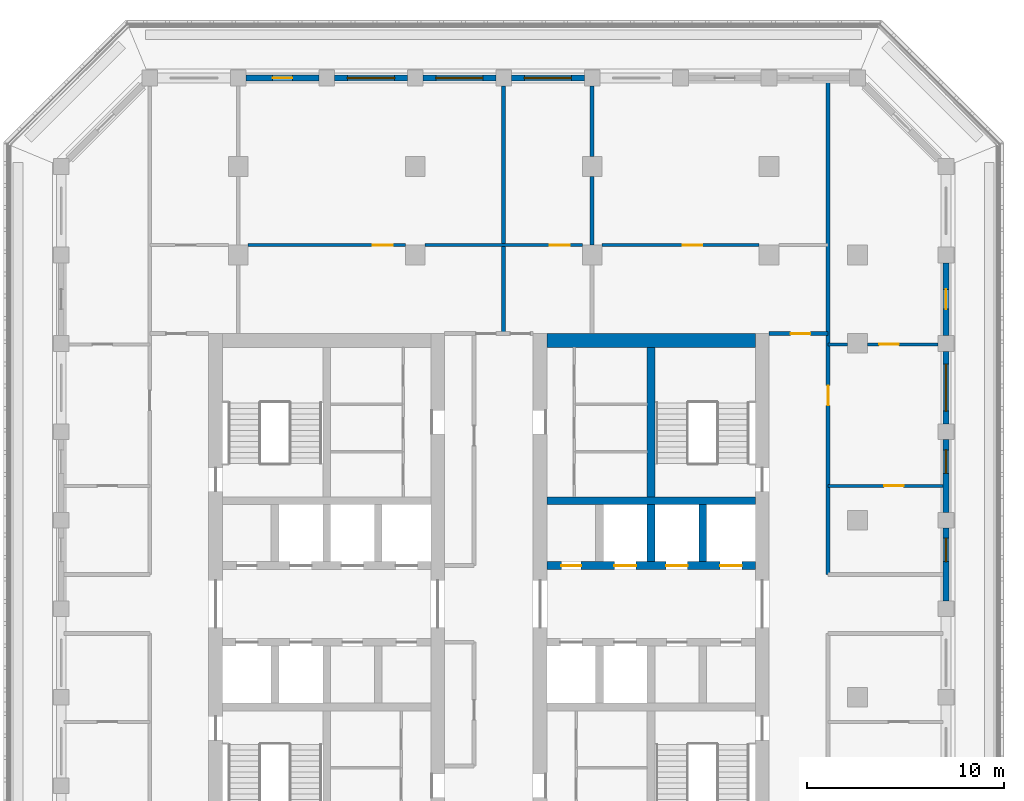
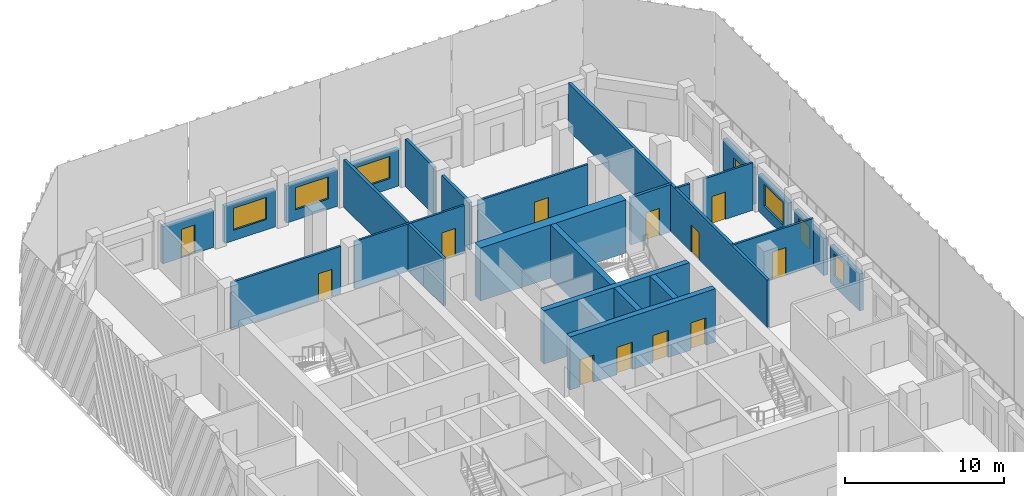
# One storey, part 7 of 17: 25 walls, 13 doors, 6 windows, 19 openings.
"""IFC4 building model written with IfcOpenShell, lengths in metres."""

import ifcopenshell
import ifcopenshell.guid

model = None  # the IFC model being written
_history = None  # IfcOwnerHistory: only IFC2X3 demands one
_inside = {}  # id of a spatial element -> (the spatial element, [elements in it])
_under = {}  # id of a project, library or spatial element -> (it, [spatial elements below it])
_declared = {}  # id of a project -> (the project, [libraries it declares])
_typed = {}  # id of a type object -> (the type object, [elements of that type])
_made_of = {}  # id of a material, layer set ... -> (it, [elements and type objects made of it])


def new_model(schema):
    """Start an empty IFC model of exactly this schema.

    Asked for "IFC4X3", IfcOpenShell would pick the latest addendum, in which some entities
    have other attributes; the version numbers below select the first issue.
    IFC2X3 requires an IfcOwnerHistory on every rooted entity: one is made here for all.
    """
    global model, _history
    if schema == "IFC4X3":
        model = ifcopenshell.file(schema_version=(4, 3, 0, 0))
    else:
        model = ifcopenshell.file(schema=schema)
    _inside.clear()
    _under.clear()
    _declared.clear()
    _typed.clear()
    _made_of.clear()
    _history = None
    if model.schema == "IFC2X3":
        org = make("IfcOrganization", Name="unknown")
        user = make(
            "IfcPersonAndOrganization",
            ThePerson=make("IfcPerson", FamilyName="unknown"),
            TheOrganization=org,
        )
        app = make(
            "IfcApplication",
            ApplicationDeveloper=org,
            Version="unknown",
            ApplicationFullName="unknown",
            ApplicationIdentifier="unknown",
        )
        _history = make(
            "IfcOwnerHistory",
            OwningUser=user,
            OwningApplication=app,
            ChangeAction="ADDED",
            CreationDate=0,
        )
    return model


def make(cls, **values):
    """One entity of the class cls with the attributes given. An attribute that is None is left unset."""
    return model.create_entity(
        cls, **{name: value for name, value in values.items() if value is not None}
    )


def rooted(cls, **values):
    """An entity with a GlobalId (a new one), such as an element, a storey or a relation."""
    return make(cls, GlobalId=ifcopenshell.guid.new(), OwnerHistory=_history, **values)


def si_unit(unit_type, name, prefix=None):
    """IfcSIUnit, for example si_unit("LENGTHUNIT", "METRE", prefix="MILLI")."""
    return make("IfcSIUnit", UnitType=unit_type, Prefix=prefix, Name=name)


def assignment(units):
    """IfcUnitAssignment: the units of a project."""
    return None if units is None else make("IfcUnitAssignment", Units=units)


def point(xyz):
    """IfcCartesianPoint."""
    return None if xyz is None else make("IfcCartesianPoint", Coordinates=xyz)


def direction(xyz):
    """IfcDirection."""
    return None if xyz is None else make("IfcDirection", DirectionRatios=xyz)


def frame(location, z_axis=None, x_axis=None):
    """IfcAxis2Placement3D, a coordinate frame: its origin and axes. An axis left out is left unset."""
    return make(
        "IfcAxis2Placement3D",
        Location=point(location),
        Axis=direction(z_axis),
        RefDirection=direction(x_axis),
    )


def frame_2d(location, x_axis=None):
    """IfcAxis2Placement2D, a coordinate frame in the plane: its origin and x axis."""
    return make(
        "IfcAxis2Placement2D", Location=point(location), RefDirection=direction(x_axis)
    )


def origin():
    """The frame at (0, 0, 0) with its axes left unset."""
    return frame((0.0, 0.0, 0.0))


def place(relative_to, where):
    """IfcLocalPlacement: puts the frame where relative to a parent placement (None: the world)."""
    return make(
        "IfcLocalPlacement", PlacementRelTo=relative_to, RelativePlacement=where
    )


def context(
    kind, dimensions, precision=None, world=None, true_north=None, identifier=None
):
    """IfcGeometricRepresentationContext, for example the 3D "Model" context."""
    return make(
        "IfcGeometricRepresentationContext",
        ContextIdentifier=identifier,
        ContextType=kind,
        CoordinateSpaceDimension=dimensions,
        Precision=precision,
        WorldCoordinateSystem=world,
        TrueNorth=true_north,
    )


def subcontext(parent, identifier, kind, view, scale=None):
    """IfcGeometricRepresentationSubContext, for example "Body" below "Model"."""
    return make(
        "IfcGeometricRepresentationSubContext",
        ContextIdentifier=identifier,
        ContextType=kind,
        ParentContext=parent,
        TargetScale=scale,
        TargetView=view,
    )


def project(units=None, contexts=None):
    """IfcProject with its units and contexts."""
    return rooted(
        "IfcProject",
        Name="project",
        RepresentationContexts=contexts,
        UnitsInContext=assignment(units),
    )


def spatial(cls, under=None, at=None, **own):
    """A site, building, storey or space (cls), placed at a placement, below another one or the project."""
    s = rooted(cls, ObjectPlacement=at, **own)
    if under is not None:
        _under.setdefault(under.id(), (under, []))[1].append(s)
    return s


def profile(cls, at=None, kind="AREA", **sizes):
    """A parametric profile (cls). Its sizes go by their IFC names, for example OverallWidth=200.0."""
    return make(cls, ProfileType=kind, Position=at, **sizes)


def rectangle(**sizes):
    """IfcRectangleProfileDef."""
    return profile("IfcRectangleProfileDef", **sizes)


def extrude(swept, where, along, depth):
    """IfcExtrudedAreaSolid: the profile swept, set in the frame where, extruded along a direction by depth."""
    return make(
        "IfcExtrudedAreaSolid",
        SweptArea=swept,
        Position=where,
        ExtrudedDirection=direction(along),
        Depth=depth,
    )


def shape(context_of_items, identifier, shape_type, items):
    """IfcShapeRepresentation: the items that make up one representation, for example the "Body"."""
    return make(
        "IfcShapeRepresentation",
        ContextOfItems=context_of_items,
        RepresentationIdentifier=identifier,
        RepresentationType=shape_type,
        Items=items,
    )


def material(Name=None, Category=None):
    """IfcMaterial."""
    return make("IfcMaterial", Name=Name, Category=Category)


def layer(
    of_material, thickness, ventilated=None, Name=None, Category=None, Priority=None
):
    """IfcMaterialLayer: one layer of a wall or slab, of a material (None: an air gap)."""
    return make(
        "IfcMaterialLayer",
        Material=of_material,
        LayerThickness=thickness,
        IsVentilated=ventilated,
        Name=Name,
        Category=Category,
        Priority=Priority,
    )


def layer_set(layers, Name=None):
    """IfcMaterialLayerSet."""
    return make("IfcMaterialLayerSet", MaterialLayers=layers, LayerSetName=Name)


def made_of(thing, what):
    """Note that an element or type object is made of a material, layer set ...; save() writes the relation."""
    if what is not None:
        _made_of.setdefault(what.id(), (what, []))[1].append(thing)
    return thing


def type_object(cls, material=None, **own):
    """A type object (cls), such as IfcWallType, which elements share."""
    return made_of(rooted(cls, **own), material)


def element(
    cls,
    number,
    at=None,
    inside=None,
    cuts=None,
    type_object=None,
    material=None,
    context=None,
    identifier="Body",
    shape_type=None,
    held_by="IfcProductDefinitionShape",
    body=None,
    shapes=None,
    **own,
):
    """One element of the class cls, such as IfcWall. Its Tag is "e" and its number.

    at: its placement. inside: the storey or other place that contains it. cuts: it is an
    opening in that element (IfcRelVoidsElement). A single representation is given by context,
    identifier, shape_type and body (its items); several are given by shapes. held_by: the class
    of the entity that holds the representations. save() writes the other relations.
    """
    e = rooted(cls, Tag="e%d" % number, ObjectPlacement=at, **own)
    if body is not None:
        shapes = [shape(context, identifier, shape_type, body)]
    if shapes is not None:
        e.Representation = make(held_by, Representations=shapes)
    if inside is not None:
        _inside.setdefault(inside.id(), (inside, []))[1].append(e)
    if cuts is not None:
        rooted(
            "IfcRelVoidsElement", RelatingBuildingElement=cuts, RelatedOpeningElement=e
        )
    if type_object is not None:
        _typed.setdefault(type_object.id(), (type_object, []))[1].append(e)
    return made_of(e, material)


def fill(opening, filler):
    """IfcRelFillsElement: the door or window that sits in an opening."""
    return rooted(
        "IfcRelFillsElement",
        RelatingOpeningElement=opening,
        RelatedBuildingElement=filler,
    )


def aggregate(whole, parts):
    """IfcRelAggregates: a whole, such as a stair, and the parts it consists of."""
    return rooted("IfcRelAggregates", RelatingObject=whole, RelatedObjects=parts)


def save(model, path):
    """Write the relations noted so far, then the file.

    IfcRelAggregates (storeys below a building ...), IfcRelContainedInSpatialStructure (elements
    in a storey), IfcRelDefinesByType, IfcRelAssociatesMaterial and IfcRelDeclares: one each for
    every whole, place, type object, material and project.
    """
    for whole, parts in _under.values():
        aggregate(whole, parts)
    for where, things in _inside.values():
        rooted(
            "IfcRelContainedInSpatialStructure",
            RelatedElements=things,
            RelatingStructure=where,
        )
    for kind, things in _typed.values():
        rooted("IfcRelDefinesByType", RelatedObjects=things, RelatingType=kind)
    for what, things in _made_of.values():
        rooted("IfcRelAssociatesMaterial", RelatedObjects=things, RelatingMaterial=what)
    for by, libraries in _declared.values():
        rooted("IfcRelDeclares", RelatingContext=by, RelatedDefinitions=libraries)
    model.write(path)


model = new_model("IFC4")

# Units and contexts
model_context = context("Model", 3, precision=1e-05, world=origin(), true_north=direction((0.0, 1.0)))
body_context = subcontext(model_context, "Body", "Model", "MODEL_VIEW")
ifc_project = project(units=[si_unit("LENGTHUNIT", "METRE"), si_unit("AREAUNIT", "SQUARE_METRE"), si_unit("VOLUMEUNIT", "CUBIC_METRE"), si_unit("PLANEANGLEUNIT", "RADIAN"), si_unit("MASSUNIT", "GRAM", prefix="KILO")], contexts=[model_context])

# Site, building, storey
site_placement = place(None, origin())
site = spatial("IfcSite", under=ifc_project, at=site_placement, CompositionType="ELEMENT")
building_placement = place(site_placement, origin())
building = spatial("IfcBuilding", under=site, at=building_placement, Name="Corbel Stack Research Tower", CompositionType="ELEMENT")
storey_placement = place(building_placement, frame((0.0, 0.0, 248.0)))
storey = spatial("IfcBuildingStorey", under=building, at=storey_placement, Name="L56", CompositionType="ELEMENT", Elevation=248.0)

# Wall, openings, doors
ifc_material_1 = material(Name="Concrete C60/75", Category="concrete")
ifc_layer_1 = layer(ifc_material_1, 0.39990234375)
ifc_layer_set_1 = layer_set([ifc_layer_1], Name="Concrete C60/75")
wall_type_1 = type_object("IfcWallType", Name="CW-400-60", PredefinedType="SHEAR", material=ifc_layer_set_1)
wall_1_placement = place(storey_placement, frame((6.699951171875, 6.699951171875, 0.0), z_axis=(0.0, 0.0, 1.0), x_axis=(1.0, 0.0, 0.0)))
wall_1 = element("IfcWall", 1, at=wall_1_placement, inside=storey, type_object=wall_type_1, Name="East core wall, lobby north L56", PredefinedType="SHEAR", context=body_context, shape_type="SweptSolid", body=[
    extrude(rectangle(XDim=10.60009765625, YDim=0.39990234375, at=frame_2d((5.300048828125, 0.0))), origin(), (0.0, 0.0, 1.0), 4.10009765625),
])
opening_1_placement = place(wall_1_placement, frame((3.4375, 0.0, 0.0)))
opening_1 = element("IfcOpeningElement", 2, at=opening_1_placement, cuts=wall_1, Name="Opening LD-HR4", PredefinedType="OPENING", context=body_context, shape_type="SweptSolid", body=[
    extrude(rectangle(XDim=1.10009765625, YDim=2.10009765625, at=frame_2d((0.550048828125, 1.050048828125))), frame((0.0, 0.2099609375, 0.0), z_axis=(0.0, -1.0, 0.0), x_axis=(1.0, 0.0, 0.0)), (0.0, 0.0, 1.0), 0.419921875),
])
opening_2_placement = place(wall_1_placement, frame((6.0625, 0.0, 0.0)))
opening_2 = element("IfcOpeningElement", 3, at=opening_2_placement, cuts=wall_1, Name="Opening LD-HR5", PredefinedType="OPENING", context=body_context, shape_type="SweptSolid", body=[
    extrude(rectangle(XDim=1.10009765625, YDim=2.10009765625, at=frame_2d((0.550048828125, 1.050048828125))), frame((0.0, 0.2099609375, 0.0), z_axis=(0.0, -1.0, 0.0), x_axis=(1.0, 0.0, 0.0)), (0.0, 0.0, 1.0), 0.419921875),
])
opening_3_placement = place(wall_1_placement, frame((8.8125, 0.0, 0.0)))
opening_3 = element("IfcOpeningElement", 4, at=opening_3_placement, cuts=wall_1, Name="Opening LD-HR6", PredefinedType="OPENING", context=body_context, shape_type="SweptSolid", body=[
    extrude(rectangle(XDim=1.10009765625, YDim=2.10009765625, at=frame_2d((0.550048828125, 1.050048828125))), frame((0.0, 0.2099609375, 0.0), z_axis=(0.0, -1.0, 0.0), x_axis=(1.0, 0.0, 0.0)), (0.0, 0.0, 1.0), 0.419921875),
])
opening_4_placement = place(wall_1_placement, frame((0.737548828125, 0.0, 0.0)))
opening_4 = element("IfcOpeningElement", 5, at=opening_4_placement, cuts=wall_1, Name="Opening CR-E12-N1", PredefinedType="OPENING", context=body_context, shape_type="SweptSolid", body=[
    extrude(rectangle(XDim=1.0, YDim=2.10009765625, at=frame_2d((0.5, 1.050048828125))), frame((0.0, 0.2099609375, 0.0), z_axis=(0.0, -1.0, 0.0), x_axis=(1.0, 0.0, 0.0)), (0.0, 0.0, 1.0), 0.419921875),
])
ifc_material_2 = material(Name="Stainless steel landing door", Category="steel")
door_type_1 = type_object("IfcDoorType", Name="Lift landing door 1100 x 2100", OperationType="DOUBLE_DOOR_SLIDING", PredefinedType="DOOR", material=ifc_material_2)
door_1_placement = place(opening_1_placement, origin())
door_1 = element("IfcDoor", 6, at=door_1_placement, inside=storey, type_object=door_type_1, Name="Landing door HR4", OperationType="DOUBLE_DOOR_SLIDING", OverallHeight=2.10009765625, OverallWidth=1.10009765625, PredefinedType="DOOR", context=body_context, shape_type="SweptSolid", body=[
    extrude(rectangle(XDim=1.10009765625, YDim=2.10009765625, at=frame_2d((0.550048828125, 1.050048828125))), frame((0.0, 0.02490234375, 0.0), z_axis=(0.0, -1.0, 0.0), x_axis=(1.0, 0.0, 0.0)), (0.0, 0.0, 1.0), 0.050048828125),
])
fill(opening_1, door_1)
door_2_placement = place(opening_2_placement, origin())
door_2 = element("IfcDoor", 7, at=door_2_placement, inside=storey, type_object=door_type_1, Name="Landing door HR5", OperationType="DOUBLE_DOOR_SLIDING", OverallHeight=2.10009765625, OverallWidth=1.10009765625, PredefinedType="DOOR", context=body_context, shape_type="SweptSolid", body=[
    extrude(rectangle(XDim=1.10009765625, YDim=2.10009765625, at=frame_2d((0.550048828125, 1.050048828125))), frame((0.0, 0.02490234375, 0.0), z_axis=(0.0, -1.0, 0.0), x_axis=(1.0, 0.0, 0.0)), (0.0, 0.0, 1.0), 0.050048828125),
])
fill(opening_2, door_2)
door_3_placement = place(opening_3_placement, origin())
door_3 = element("IfcDoor", 8, at=door_3_placement, inside=storey, type_object=door_type_1, Name="Landing door HR6", OperationType="DOUBLE_DOOR_SLIDING", OverallHeight=2.10009765625, OverallWidth=1.10009765625, PredefinedType="DOOR", context=body_context, shape_type="SweptSolid", body=[
    extrude(rectangle(XDim=1.10009765625, YDim=2.10009765625, at=frame_2d((0.550048828125, 1.050048828125))), frame((0.0, 0.02490234375, 0.0), z_axis=(0.0, -1.0, 0.0), x_axis=(1.0, 0.0, 0.0)), (0.0, 0.0, 1.0), 0.050048828125),
])
fill(opening_3, door_3)
ifc_material_3 = material(Name="Painted steel door", Category="steel")
door_type_2 = type_object("IfcDoorType", Name="Service door 1000 x 2100 FD60 left hand", OperationType="SINGLE_SWING_LEFT", PredefinedType="DOOR", material=ifc_material_3)
door_4_placement = place(opening_4_placement, origin())
door_4 = element("IfcDoor", 9, at=door_4_placement, inside=storey, type_object=door_type_2, Name="Telecom room door E core", OperationType="SINGLE_SWING_LEFT", OverallHeight=2.10009765625, OverallWidth=1.0, PredefinedType="DOOR", context=body_context, shape_type="SweptSolid", body=[
    extrude(rectangle(XDim=1.0, YDim=2.10009765625, at=frame_2d((0.5, 1.050048828125))), frame((0.0, 0.02490234375, 0.0), z_axis=(0.0, -1.0, 0.0), x_axis=(1.0, 0.0, 0.0)), (0.0, 0.0, 1.0), 0.050048828125),
])
fill(opening_4, door_4)

# Walls
wall_2_placement = place(storey_placement, frame((6.699951171875, 10.0, 0.0), z_axis=(0.0, 0.0, 1.0), x_axis=(1.0, 0.0, 0.0)))
element("IfcWall", 10, at=wall_2_placement, inside=storey, type_object=wall_type_1, Name="East core wall, north row back L56", PredefinedType="SHEAR", context=body_context, shape_type="SweptSolid", body=[
    extrude(rectangle(XDim=10.60009765625, YDim=0.39990234375, at=frame_2d((5.300048828125, 0.0))), origin(), (0.0, 0.0, 1.0), 4.10009765625),
])
for number, where, z_axis, x_axis, name in (
    (11, (12.0, 6.89990234375, 0.0), (0.0, 0.0, 1.0), (0.0, 1.0, 0.0), "East core wall, north shaft 2 L56"),
    (12, (14.625, 6.89990234375, 0.0), (0.0, 0.0, 1.0), (0.0, 1.0, 0.0), "East core wall, north shaft 3 L56"),
):
    element("IfcWall", number, at=place(storey_placement, frame(where, z_axis=z_axis, x_axis=x_axis)), inside=storey, type_object=wall_type_1, Name=name, PredefinedType="SHEAR", context=body_context, shape_type="SweptSolid", body=[
        extrude(rectangle(XDim=2.900146484375, YDim=0.39990234375, at=frame_2d((1.4501953125, 0.0))), origin(), (0.0, 0.0, 1.0), 4.10009765625),
    ])
wall_3_placement = place(storey_placement, frame((12.0, 10.199951171875, 0.0), z_axis=(0.0, 0.0, 1.0), x_axis=(0.0, 1.0, 0.0)))
element("IfcWall", 13, at=wall_3_placement, inside=storey, type_object=wall_type_1, Name="East core wall, north stair and riser L56", PredefinedType="SHEAR", context=body_context, shape_type="SweptSolid", body=[
    extrude(rectangle(XDim=7.60009765625, YDim=0.39990234375, at=frame_2d((3.800048828125, 0.0))), origin(), (0.0, 0.0, 1.0), 4.10009765625),
])
ifc_material_4 = material(Name="Concrete C60/75", Category="concrete")
ifc_layer_2 = layer(ifc_material_4, 0.699951171875)
ifc_layer_set_2 = layer_set([ifc_layer_2], Name="Concrete C60/75")
wall_type_2 = type_object("IfcWallType", Name="CW-700-60", PredefinedType="SHEAR", material=ifc_layer_set_2)
wall_4_placement = place(storey_placement, frame((6.699951171875, 18.14990234375, 0.0), z_axis=(0.0, 0.0, 1.0), x_axis=(1.0, 0.0, 0.0)))
element("IfcWall", 14, at=wall_4_placement, inside=storey, type_object=wall_type_2, Name="East core wall, north end L56", PredefinedType="SHEAR", context=body_context, shape_type="SweptSolid", body=[
    extrude(rectangle(XDim=10.60009765625, YDim=0.699951171875, at=frame_2d((5.300048828125, 0.0))), origin(), (0.0, 0.0, 1.0), 4.10009765625),
])
ifc_material_5 = material(Name="Fire-rated gypsum board partition on steel studs", Category="steel")
ifc_layer_3 = layer(ifc_material_5, 0.199951171875)
ifc_layer_set_3 = layer_set([ifc_layer_3], Name="Fire-rated gypsum board partition on steel studs")
wall_type_3 = type_object("IfcWallType", Name="Fire-rated partition 200 EI 60", PredefinedType="PARTITIONING", material=ifc_layer_set_3)
wall_5_placement = place(storey_placement, frame((4.5, 18.5, 0.0), z_axis=(0.0, 0.0, 1.0), x_axis=(0.0, 1.0, 0.0)))
element("IfcWall", 15, at=wall_5_placement, inside=storey, type_object=wall_type_3, Name="Partition L56-012", PredefinedType="PARTITIONING", context=body_context, shape_type="SweptSolid", body=[
    extrude(rectangle(XDim=12.60009765625, YDim=0.199951171875, at=frame_2d((6.300048828125, 0.0))), origin(), (0.0, 0.0, 1.0), 3.64990234375),
])
wall_6_placement = place(storey_placement, frame((9.0, 23.0, 0.0), z_axis=(0.0, 0.0, 1.0), x_axis=(0.0, 1.0, 0.0)))
element("IfcWall", 16, at=wall_6_placement, inside=storey, type_object=wall_type_3, Name="Partition L56-016", PredefinedType="PARTITIONING", context=body_context, shape_type="SweptSolid", body=[
    extrude(rectangle(XDim=3.5, YDim=0.199951171875, at=frame_2d((1.75, 0.0))), origin(), (0.0, 0.0, 1.0), 3.64990234375),
])
wall_7_placement = place(storey_placement, frame((9.0, 27.5, 0.0), z_axis=(0.0, 0.0, 1.0), x_axis=(0.0, 1.0, 0.0)))
element("IfcWall", 17, at=wall_7_placement, inside=storey, type_object=wall_type_3, Name="Partition L56-017", PredefinedType="PARTITIONING", context=body_context, shape_type="SweptSolid", body=[
    extrude(rectangle(XDim=3.60009765625, YDim=0.199951171875, at=frame_2d((1.800048828125, 0.0))), origin(), (0.0, 0.0, 1.0), 3.64990234375),
])

# Wall, opening, door
wall_8_placement = place(storey_placement, frame((21.0, 31.35009765625, 0.0), z_axis=(0.0, 0.0, 1.0), x_axis=(0.0, -1.0, 0.0)))
wall_8 = element("IfcWall", 18, at=wall_8_placement, inside=storey, type_object=wall_type_3, Name="Partition L56-019", PredefinedType="PARTITIONING", context=body_context, shape_type="SweptSolid", body=[
    extrude(rectangle(XDim=25.10009765625, YDim=0.199951171875, at=frame_2d((12.550048828125, 0.0))), origin(), (0.0, 0.0, 1.0), 3.64990234375),
])
opening_5_placement = place(wall_8_placement, frame((15.5, 0.0, 0.0)))
opening_5 = element("IfcOpeningElement", 19, at=opening_5_placement, cuts=wall_8, Name="Opening B7V1-027", PredefinedType="OPENING", context=body_context, shape_type="SweptSolid", body=[
    extrude(rectangle(XDim=1.0, YDim=2.10009765625, at=frame_2d((0.5, 1.050048828125))), frame((0.0, 0.10986328125, 0.0), z_axis=(0.0, -1.0, 0.0), x_axis=(1.0, 0.0, 0.0)), (0.0, 0.0, 1.0), 0.219970703125),
])
ifc_material_6 = material(Name="Painted steel fire door", Category="steel")
door_type_3 = type_object("IfcDoorType", Name="Fire door FD30S 1000 x 2100", OperationType="NOTDEFINED", PredefinedType="DOOR", material=ifc_material_6)
door_5_placement = place(opening_5_placement, origin())
door_5 = element("IfcDoor", 20, at=door_5_placement, inside=storey, type_object=door_type_3, Name="Door B7V1-027", OperationType="SINGLE_SWING_RIGHT", OverallHeight=2.10009765625, OverallWidth=1.0, PredefinedType="DOOR", context=body_context, shape_type="SweptSolid", body=[
    extrude(rectangle(XDim=1.0, YDim=2.10009765625, at=frame_2d((0.5, 1.050048828125))), frame((0.0, 0.02490234375, 0.0), z_axis=(0.0, -1.0, 0.0), x_axis=(1.0, 0.0, 0.0)), (0.0, 0.0, 1.0), 0.050048828125),
])
fill(opening_5, door_5)

wall_9_placement = place(storey_placement, frame((18.0, 18.5, 0.0), z_axis=(0.0, 0.0, 1.0), x_axis=(1.0, 0.0, 0.0)))
wall_9 = element("IfcWall", 21, at=wall_9_placement, inside=storey, type_object=wall_type_3, Name="Partition L56-044", PredefinedType="PARTITIONING", context=body_context, shape_type="SweptSolid", body=[
    extrude(rectangle(XDim=3.0, YDim=0.199951171875, at=frame_2d((1.5, 0.0))), origin(), (0.0, 0.0, 1.0), 3.64990234375),
])
opening_6_placement = place(wall_9_placement, frame((1.10009765625, 0.0, 0.0)))
opening_6 = element("IfcOpeningElement", 22, at=opening_6_placement, cuts=wall_9, Name="Opening B7V1-025", PredefinedType="OPENING", context=body_context, shape_type="SweptSolid", body=[
    extrude(rectangle(XDim=1.0, YDim=2.10009765625, at=frame_2d((0.5, 1.050048828125))), frame((0.0, 0.10986328125, 0.0), z_axis=(0.0, -1.0, 0.0), x_axis=(1.0, 0.0, 0.0)), (0.0, 0.0, 1.0), 0.219970703125),
])
door_6_placement = place(opening_6_placement, origin())
door_6 = element("IfcDoor", 23, at=door_6_placement, inside=storey, type_object=door_type_3, Name="Door B7V1-025", OperationType="SINGLE_SWING_RIGHT", OverallHeight=2.10009765625, OverallWidth=1.0, PredefinedType="DOOR", context=body_context, shape_type="SweptSolid", body=[
    extrude(rectangle(XDim=1.0, YDim=2.10009765625, at=frame_2d((0.5, 1.050048828125))), frame((0.0, 0.02490234375, 0.0), z_axis=(0.0, -1.0, 0.0), x_axis=(1.0, 0.0, 0.0)), (0.0, 0.0, 1.0), 0.050048828125),
])
fill(opening_6, door_6)

ifc_material_7 = material(Name="Gypsum board partition on steel studs", Category="steel")
ifc_layer_4 = layer(ifc_material_7, 0.14990234375)
ifc_layer_set_4 = layer_set([ifc_layer_4], Name="Gypsum board partition on steel studs")
wall_type_4 = type_object("IfcWallType", Name="Partition 150", PredefinedType="PARTITIONING", material=ifc_layer_set_4)
wall_10_placement = place(storey_placement, frame((26.85009765625, 10.75, 0.0), z_axis=(0.0, 0.0, 1.0), x_axis=(-1.0, 0.0, 0.0)))
wall_10 = element("IfcWall", 24, at=wall_10_placement, inside=storey, type_object=wall_type_4, Name="Partition L56-038", PredefinedType="PARTITIONING", context=body_context, shape_type="SweptSolid", body=[
    extrude(rectangle(XDim=5.85009765625, YDim=0.14990234375, at=frame_2d((2.925048828125, 0.0))), origin(), (0.0, 0.0, 1.0), 3.64990234375),
])
opening_7_placement = place(wall_10_placement, frame((2.0, 0.0, 0.0)))
opening_7 = element("IfcOpeningElement", 25, at=opening_7_placement, cuts=wall_10, Name="Opening B7V1-019", PredefinedType="OPENING", context=body_context, shape_type="SweptSolid", body=[
    extrude(rectangle(XDim=1.0, YDim=2.10009765625, at=frame_2d((0.5, 1.050048828125))), frame((0.0, 0.0849609375, 0.0), z_axis=(0.0, -1.0, 0.0), x_axis=(1.0, 0.0, 0.0)), (0.0, 0.0, 1.0), 0.169921875),
])
ifc_material_8 = material(Name="Painted timber door", Category="wood")
door_type_4 = type_object("IfcDoorType", Name="Single door 1000 x 2100", OperationType="NOTDEFINED", PredefinedType="DOOR", material=ifc_material_8)
door_7_placement = place(opening_7_placement, origin())
door_7 = element("IfcDoor", 26, at=door_7_placement, inside=storey, type_object=door_type_4, Name="Door B7V1-019", OperationType="SINGLE_SWING_LEFT", OverallHeight=2.10009765625, OverallWidth=1.0, PredefinedType="DOOR", context=body_context, shape_type="SweptSolid", body=[
    extrude(rectangle(XDim=1.0, YDim=2.10009765625, at=frame_2d((0.5, 1.050048828125))), frame((0.0, 0.02490234375, 0.0), z_axis=(0.0, -1.0, 0.0), x_axis=(1.0, 0.0, 0.0)), (0.0, 0.0, 1.0), 0.050048828125),
])
fill(opening_7, door_7)

# Wall
wall_11_placement = place(storey_placement, frame((21.0, 17.949951171875, 0.0), z_axis=(0.0, 0.0, 1.0), x_axis=(1.0, 0.0, 0.0)))
element("IfcWall", 27, at=wall_11_placement, inside=storey, type_object=wall_type_4, Name="Partition L56-040", PredefinedType="PARTITIONING", context=body_context, shape_type="SweptSolid", body=[
    extrude(rectangle(XDim=1.0, YDim=0.14990234375, at=frame_2d((0.5, 0.0))), origin(), (0.0, 0.0, 1.0), 3.64990234375),
])

# Wall, opening, door
wall_12_placement = place(storey_placement, frame((23.0, 17.949951171875, 0.0), z_axis=(0.0, 0.0, 1.0), x_axis=(1.0, 0.0, 0.0)))
wall_12 = element("IfcWall", 28, at=wall_12_placement, inside=storey, type_object=wall_type_4, Name="Partition L56-041", PredefinedType="PARTITIONING", context=body_context, shape_type="SweptSolid", body=[
    extrude(rectangle(XDim=3.60009765625, YDim=0.14990234375, at=frame_2d((1.800048828125, 0.0))), origin(), (0.0, 0.0, 1.0), 3.64990234375),
])
opening_8_placement = place(wall_12_placement, frame((0.60009765625, 0.0, 0.0)))
opening_8 = element("IfcOpeningElement", 29, at=opening_8_placement, cuts=wall_12, Name="Opening B7V1-021", PredefinedType="OPENING", context=body_context, shape_type="SweptSolid", body=[
    extrude(rectangle(XDim=1.0, YDim=2.10009765625, at=frame_2d((0.5, 1.050048828125))), frame((0.0, 0.0849609375, 0.0), z_axis=(0.0, -1.0, 0.0), x_axis=(1.0, 0.0, 0.0)), (0.0, 0.0, 1.0), 0.169921875),
])
door_8_placement = place(opening_8_placement, origin())
door_8 = element("IfcDoor", 30, at=door_8_placement, inside=storey, type_object=door_type_4, Name="Door B7V1-021", OperationType="SINGLE_SWING_LEFT", OverallHeight=2.10009765625, OverallWidth=1.0, PredefinedType="DOOR", context=body_context, shape_type="SweptSolid", body=[
    extrude(rectangle(XDim=1.0, YDim=2.10009765625, at=frame_2d((0.5, 1.050048828125))), frame((0.0, 0.02490234375, 0.0), z_axis=(0.0, -1.0, 0.0), x_axis=(1.0, 0.0, 0.0)), (0.0, 0.0, 1.0), 0.050048828125),
])
fill(opening_8, door_8)

wall_13_placement = place(storey_placement, frame((-8.5, 23.0, 0.0), z_axis=(0.0, 0.0, 1.0), x_axis=(1.0, 0.0, 0.0)))
wall_13 = element("IfcWall", 31, at=wall_13_placement, inside=storey, type_object=wall_type_4, Name="Partition L56-046", PredefinedType="PARTITIONING", context=body_context, shape_type="SweptSolid", body=[
    extrude(rectangle(XDim=8.0, YDim=0.14990234375, at=frame_2d((4.0, 0.0))), origin(), (0.0, 0.0, 1.0), 3.64990234375),
])
opening_9_placement = place(wall_13_placement, frame((6.35009765625, 0.0, 0.0)))
opening_9 = element("IfcOpeningElement", 32, at=opening_9_placement, cuts=wall_13, Name="Opening B7V1-029", PredefinedType="OPENING", context=body_context, shape_type="SweptSolid", body=[
    extrude(rectangle(XDim=1.0, YDim=2.10009765625, at=frame_2d((0.5, 1.050048828125))), frame((0.0, 0.0849609375, 0.0), z_axis=(0.0, -1.0, 0.0), x_axis=(1.0, 0.0, 0.0)), (0.0, 0.0, 1.0), 0.169921875),
])
door_9_placement = place(opening_9_placement, origin())
door_9 = element("IfcDoor", 33, at=door_9_placement, inside=storey, type_object=door_type_4, Name="Door B7V1-029", OperationType="SINGLE_SWING_RIGHT", OverallHeight=2.10009765625, OverallWidth=1.0, PredefinedType="DOOR", context=body_context, shape_type="SweptSolid", body=[
    extrude(rectangle(XDim=1.0, YDim=2.10009765625, at=frame_2d((0.5, 1.050048828125))), frame((0.0, 0.02490234375, 0.0), z_axis=(0.0, -1.0, 0.0), x_axis=(1.0, 0.0, 0.0)), (0.0, 0.0, 1.0), 0.050048828125),
])
fill(opening_9, door_9)

wall_14_placement = place(storey_placement, frame((0.5, 23.0, 0.0), z_axis=(0.0, 0.0, 1.0), x_axis=(1.0, 0.0, 0.0)))
wall_14 = element("IfcWall", 34, at=wall_14_placement, inside=storey, type_object=wall_type_4, Name="Partition L56-047", PredefinedType="PARTITIONING", context=body_context, shape_type="SweptSolid", body=[
    extrude(rectangle(XDim=8.0, YDim=0.14990234375, at=frame_2d((4.0, 0.0))), origin(), (0.0, 0.0, 1.0), 3.64990234375),
])
opening_10_placement = place(wall_14_placement, frame((6.35009765625, 0.0, 0.0)))
opening_10 = element("IfcOpeningElement", 35, at=opening_10_placement, cuts=wall_14, Name="Opening B7V1-030", PredefinedType="OPENING", context=body_context, shape_type="SweptSolid", body=[
    extrude(rectangle(XDim=1.0, YDim=2.10009765625, at=frame_2d((0.5, 1.050048828125))), frame((0.0, 0.0849609375, 0.0), z_axis=(0.0, -1.0, 0.0), x_axis=(1.0, 0.0, 0.0)), (0.0, 0.0, 1.0), 0.169921875),
])
door_10_placement = place(opening_10_placement, origin())
door_10 = element("IfcDoor", 36, at=door_10_placement, inside=storey, type_object=door_type_4, Name="Door B7V1-030", OperationType="SINGLE_SWING_RIGHT", OverallHeight=2.10009765625, OverallWidth=1.0, PredefinedType="DOOR", context=body_context, shape_type="SweptSolid", body=[
    extrude(rectangle(XDim=1.0, YDim=2.10009765625, at=frame_2d((0.5, 1.050048828125))), frame((0.0, 0.02490234375, 0.0), z_axis=(0.0, -1.0, 0.0), x_axis=(1.0, 0.0, 0.0)), (0.0, 0.0, 1.0), 0.050048828125),
])
fill(opening_10, door_10)

wall_15_placement = place(storey_placement, frame((9.5, 23.0, 0.0), z_axis=(0.0, 0.0, 1.0), x_axis=(1.0, 0.0, 0.0)))
wall_15 = element("IfcWall", 37, at=wall_15_placement, inside=storey, type_object=wall_type_4, Name="Partition L56-048", PredefinedType="PARTITIONING", context=body_context, shape_type="SweptSolid", body=[
    extrude(rectangle(XDim=8.0, YDim=0.14990234375, at=frame_2d((4.0, 0.0))), origin(), (0.0, 0.0, 1.0), 3.64990234375),
])
opening_11_placement = place(wall_15_placement, frame((4.10009765625, 0.0, 0.0)))
opening_11 = element("IfcOpeningElement", 38, at=opening_11_placement, cuts=wall_15, Name="Opening B7V1-031", PredefinedType="OPENING", context=body_context, shape_type="SweptSolid", body=[
    extrude(rectangle(XDim=1.0, YDim=2.10009765625, at=frame_2d((0.5, 1.050048828125))), frame((0.0, 0.0849609375, 0.0), z_axis=(0.0, -1.0, 0.0), x_axis=(1.0, 0.0, 0.0)), (0.0, 0.0, 1.0), 0.169921875),
])
door_11_placement = place(opening_11_placement, origin())
door_11 = element("IfcDoor", 39, at=door_11_placement, inside=storey, type_object=door_type_4, Name="Door B7V1-031", OperationType="SINGLE_SWING_RIGHT", OverallHeight=2.10009765625, OverallWidth=1.0, PredefinedType="DOOR", context=body_context, shape_type="SweptSolid", body=[
    extrude(rectangle(XDim=1.0, YDim=2.10009765625, at=frame_2d((0.5, 1.050048828125))), frame((0.0, 0.02490234375, 0.0), z_axis=(0.0, -1.0, 0.0), x_axis=(1.0, 0.0, 0.0)), (0.0, 0.0, 1.0), 0.050048828125),
])
fill(opening_11, door_11)

# Wall, opening, window
ifc_material_9 = material(Name="Concrete C45/55", Category="concrete")
ifc_layer_5 = layer(ifc_material_9, 0.300048828125)
ifc_layer_set_5 = layer_set([ifc_layer_5], Name="Concrete C45/55")
wall_type_5 = type_object("IfcWallType", Name="Terracotta-faced concrete wall 300", PredefinedType="SOLIDWALL", material=ifc_layer_set_5)
wall_16_placement = place(storey_placement, frame((27.0, 8.60009765625, 0.0), z_axis=(0.0, 0.0, 1.0), x_axis=(0.0, -1.0, 0.0)))
wall_16 = element("IfcWall", 40, at=wall_16_placement, inside=storey, type_object=wall_type_5, Name="Facade wall L56 E06", PredefinedType="SOLIDWALL", context=body_context, shape_type="SweptSolid", body=[
    extrude(rectangle(XDim=3.7001953125, YDim=0.300048828125, at=frame_2d((1.85009765625, 0.0))), origin(), (0.0, 0.0, 1.0), 2.85009765625),
])
opening_12_placement = place(wall_16_placement, frame((0.5, 0.0, 0.800048828125)))
opening_12 = element("IfcOpeningElement", 41, at=opening_12_placement, cuts=wall_16, Name="Opening W2", PredefinedType="OPENING", context=body_context, shape_type="SweptSolid", body=[
    extrude(rectangle(XDim=1.199951171875, YDim=1.699951171875, at=frame_2d((0.60009765625, 0.85009765625))), frame((0.0, 0.159912109375, 0.0), z_axis=(0.0, -1.0, 0.0), x_axis=(1.0, 0.0, 0.0)), (0.0, 0.0, 1.0), 0.320068359375),
])
ifc_material_10 = material(Name="Aluminium frame, clear double glazing", Category="aluminium")
window_type_1 = type_object("IfcWindowType", Name="Window W2 1200 x 1700", PartitioningType="SINGLE_PANEL", PredefinedType="WINDOW", material=ifc_material_10)
window_1_placement = place(opening_12_placement, origin())
window_1 = element("IfcWindow", 42, at=window_1_placement, inside=storey, type_object=window_type_1, Name="Window W2 L56 E06", OverallHeight=1.699951171875, OverallWidth=1.199951171875, PartitioningType="SINGLE_PANEL", PredefinedType="WINDOW", context=body_context, shape_type="SweptSolid", body=[
    extrude(rectangle(XDim=1.199951171875, YDim=1.699951171875, at=frame_2d((0.60009765625, 0.85009765625))), frame((0.0, 0.030029296875, 0.0), z_axis=(0.0, -1.0, 0.0), x_axis=(1.0, 0.0, 0.0)), (0.0, 0.0, 1.0), 0.06005859375),
])
fill(opening_12, window_1)

wall_17_placement = place(storey_placement, frame((27.0, 13.10009765625, 0.0), z_axis=(0.0, 0.0, 1.0), x_axis=(0.0, -1.0, 0.0)))
wall_17 = element("IfcWall", 43, at=wall_17_placement, inside=storey, type_object=wall_type_5, Name="Facade wall L56 E07", PredefinedType="SOLIDWALL", context=body_context, shape_type="SweptSolid", body=[
    extrude(rectangle(XDim=3.7001953125, YDim=0.300048828125, at=frame_2d((1.85009765625, 0.0))), origin(), (0.0, 0.0, 1.0), 2.85009765625),
])
opening_13_placement = place(wall_17_placement, frame((0.512451171875, 0.0, 0.800048828125)))
opening_13 = element("IfcOpeningElement", 44, at=opening_13_placement, cuts=wall_17, Name="Opening W2", PredefinedType="OPENING", context=body_context, shape_type="SweptSolid", body=[
    extrude(rectangle(XDim=1.199951171875, YDim=1.699951171875, at=frame_2d((0.60009765625, 0.85009765625))), frame((0.0, 0.159912109375, 0.0), z_axis=(0.0, -1.0, 0.0), x_axis=(1.0, 0.0, 0.0)), (0.0, 0.0, 1.0), 0.320068359375),
])
window_2_placement = place(opening_13_placement, origin())
window_2 = element("IfcWindow", 45, at=window_2_placement, inside=storey, type_object=window_type_1, Name="Window W2 L56 E07", OverallHeight=1.699951171875, OverallWidth=1.199951171875, PartitioningType="SINGLE_PANEL", PredefinedType="WINDOW", context=body_context, shape_type="SweptSolid", body=[
    extrude(rectangle(XDim=1.199951171875, YDim=1.699951171875, at=frame_2d((0.60009765625, 0.85009765625))), frame((0.0, 0.030029296875, 0.0), z_axis=(0.0, -1.0, 0.0), x_axis=(1.0, 0.0, 0.0)), (0.0, 0.0, 1.0), 0.06005859375),
])
fill(opening_13, window_2)

wall_18_placement = place(storey_placement, frame((27.0, 17.60009765625, 0.0), z_axis=(0.0, 0.0, 1.0), x_axis=(0.0, -1.0, 0.0)))
wall_18 = element("IfcWall", 46, at=wall_18_placement, inside=storey, type_object=wall_type_5, Name="Facade wall L56 E08", PredefinedType="SOLIDWALL", context=body_context, shape_type="SweptSolid", body=[
    extrude(rectangle(XDim=3.7001953125, YDim=0.300048828125, at=frame_2d((1.85009765625, 0.0))), origin(), (0.0, 0.0, 1.0), 2.85009765625),
])
opening_14_placement = place(wall_18_placement, frame((0.64990234375, 0.0, 0.800048828125)))
opening_14 = element("IfcOpeningElement", 47, at=opening_14_placement, cuts=wall_18, Name="Opening W1", PredefinedType="OPENING", context=body_context, shape_type="SweptSolid", body=[
    extrude(rectangle(XDim=2.39990234375, YDim=1.699951171875, at=frame_2d((1.199951171875, 0.85009765625))), frame((0.0, 0.159912109375, 0.0), z_axis=(0.0, -1.0, 0.0), x_axis=(1.0, 0.0, 0.0)), (0.0, 0.0, 1.0), 0.320068359375),
])
ifc_material_11 = material(Name="Aluminium frame, clear double glazing", Category="aluminium")
window_type_2 = type_object("IfcWindowType", Name="Window W1 2400 x 1700", PartitioningType="SINGLE_PANEL", PredefinedType="WINDOW", material=ifc_material_11)
window_3_placement = place(opening_14_placement, origin())
window_3 = element("IfcWindow", 48, at=window_3_placement, inside=storey, type_object=window_type_2, Name="Window W1 L56 E08", OverallHeight=1.699951171875, OverallWidth=2.39990234375, PartitioningType="SINGLE_PANEL", PredefinedType="WINDOW", context=body_context, shape_type="SweptSolid", body=[
    extrude(rectangle(XDim=2.39990234375, YDim=1.699951171875, at=frame_2d((1.199951171875, 0.85009765625))), frame((0.0, 0.030029296875, 0.0), z_axis=(0.0, -1.0, 0.0), x_axis=(1.0, 0.0, 0.0)), (0.0, 0.0, 1.0), 0.06005859375),
])
fill(opening_14, window_3)

# Wall, opening, door
wall_19_placement = place(storey_placement, frame((27.0, 22.10009765625, 0.0), z_axis=(0.0, 0.0, 1.0), x_axis=(0.0, -1.0, 0.0)))
wall_19 = element("IfcWall", 49, at=wall_19_placement, inside=storey, type_object=wall_type_5, Name="Facade wall L56 E09", PredefinedType="SOLIDWALL", context=body_context, shape_type="SweptSolid", body=[
    extrude(rectangle(XDim=3.7001953125, YDim=0.300048828125, at=frame_2d((1.85009765625, 0.0))), origin(), (0.0, 0.0, 1.0), 2.85009765625),
])
opening_15_placement = place(wall_19_placement, frame((1.35009765625, 0.0, 0.0)))
opening_15 = element("IfcOpeningElement", 50, at=opening_15_placement, cuts=wall_19, Name="Opening L56-B05", PredefinedType="OPENING", context=body_context, shape_type="SweptSolid", body=[
    extrude(rectangle(XDim=1.0, YDim=2.199951171875, at=frame_2d((0.5, 1.10009765625))), frame((0.0, 0.159912109375, 0.0), z_axis=(0.0, -1.0, 0.0), x_axis=(1.0, 0.0, 0.0)), (0.0, 0.0, 1.0), 0.320068359375),
])
ifc_material_12 = material(Name="Aluminium frame, clear double glazing", Category="aluminium")
door_type_5 = type_object("IfcDoorType", Name="Balcony door BD1 1000 x 2200", OperationType="NOTDEFINED", PredefinedType="DOOR", material=ifc_material_12)
door_12_placement = place(opening_15_placement, origin())
door_12 = element("IfcDoor", 51, at=door_12_placement, inside=storey, type_object=door_type_5, Name="Balcony door L56-B05", OperationType="SINGLE_SWING_LEFT", OverallHeight=2.199951171875, OverallWidth=1.0, PredefinedType="DOOR", context=body_context, shape_type="SweptSolid", body=[
    extrude(rectangle(XDim=1.0, YDim=2.199951171875, at=frame_2d((0.5, 1.10009765625))), frame((0.0, 0.02490234375, 0.0), z_axis=(0.0, -1.0, 0.0), x_axis=(1.0, 0.0, 0.0)), (0.0, 0.0, 1.0), 0.050048828125),
])
fill(opening_15, door_12)

# Wall, opening, window
wall_20_placement = place(storey_placement, frame((4.89990234375, 31.5, 0.0), z_axis=(0.0, 0.0, 1.0), x_axis=(1.0, 0.0, 0.0)))
wall_20 = element("IfcWall", 52, at=wall_20_placement, inside=storey, type_object=wall_type_5, Name="Facade wall L56 N04", PredefinedType="SOLIDWALL", context=body_context, shape_type="SweptSolid", body=[
    extrude(rectangle(XDim=3.7001953125, YDim=0.300048828125, at=frame_2d((1.85009765625, 0.0))), origin(), (0.0, 0.0, 1.0), 2.85009765625),
])
opening_16_placement = place(wall_20_placement, frame((0.64990234375, 0.0, 0.800048828125)))
opening_16 = element("IfcOpeningElement", 53, at=opening_16_placement, cuts=wall_20, Name="Opening W1", PredefinedType="OPENING", context=body_context, shape_type="SweptSolid", body=[
    extrude(rectangle(XDim=2.39990234375, YDim=1.699951171875, at=frame_2d((1.199951171875, 0.85009765625))), frame((0.0, 0.159912109375, 0.0), z_axis=(0.0, -1.0, 0.0), x_axis=(1.0, 0.0, 0.0)), (0.0, 0.0, 1.0), 0.320068359375),
])
window_4_placement = place(opening_16_placement, origin())
window_4 = element("IfcWindow", 54, at=window_4_placement, inside=storey, type_object=window_type_2, Name="Window W1 L56 N04", OverallHeight=1.699951171875, OverallWidth=2.39990234375, PartitioningType="SINGLE_PANEL", PredefinedType="WINDOW", context=body_context, shape_type="SweptSolid", body=[
    extrude(rectangle(XDim=2.39990234375, YDim=1.699951171875, at=frame_2d((1.199951171875, 0.85009765625))), frame((0.0, 0.030029296875, 0.0), z_axis=(0.0, -1.0, 0.0), x_axis=(1.0, 0.0, 0.0)), (0.0, 0.0, 1.0), 0.06005859375),
])
fill(opening_16, window_4)

wall_21_placement = place(storey_placement, frame((0.39990234375, 31.5, 0.0), z_axis=(0.0, 0.0, 1.0), x_axis=(1.0, 0.0, 0.0)))
wall_21 = element("IfcWall", 55, at=wall_21_placement, inside=storey, type_object=wall_type_5, Name="Facade wall L56 N05", PredefinedType="SOLIDWALL", context=body_context, shape_type="SweptSolid", body=[
    extrude(rectangle(XDim=3.7001953125, YDim=0.300048828125, at=frame_2d((1.85009765625, 0.0))), origin(), (0.0, 0.0, 1.0), 2.85009765625),
])
opening_17_placement = place(wall_21_placement, frame((0.64990234375, 0.0, 0.800048828125)))
opening_17 = element("IfcOpeningElement", 56, at=opening_17_placement, cuts=wall_21, Name="Opening W1", PredefinedType="OPENING", context=body_context, shape_type="SweptSolid", body=[
    extrude(rectangle(XDim=2.39990234375, YDim=1.699951171875, at=frame_2d((1.199951171875, 0.85009765625))), frame((0.0, 0.159912109375, 0.0), z_axis=(0.0, -1.0, 0.0), x_axis=(1.0, 0.0, 0.0)), (0.0, 0.0, 1.0), 0.320068359375),
])
window_5_placement = place(opening_17_placement, origin())
window_5 = element("IfcWindow", 57, at=window_5_placement, inside=storey, type_object=window_type_2, Name="Window W1 L56 N05", OverallHeight=1.699951171875, OverallWidth=2.39990234375, PartitioningType="SINGLE_PANEL", PredefinedType="WINDOW", context=body_context, shape_type="SweptSolid", body=[
    extrude(rectangle(XDim=2.39990234375, YDim=1.699951171875, at=frame_2d((1.199951171875, 0.85009765625))), frame((0.0, 0.030029296875, 0.0), z_axis=(0.0, -1.0, 0.0), x_axis=(1.0, 0.0, 0.0)), (0.0, 0.0, 1.0), 0.06005859375),
])
fill(opening_17, window_5)

wall_22_placement = place(storey_placement, frame((-4.10009765625, 31.5, 0.0), z_axis=(0.0, 0.0, 1.0), x_axis=(1.0, 0.0, 0.0)))
wall_22 = element("IfcWall", 58, at=wall_22_placement, inside=storey, type_object=wall_type_5, Name="Facade wall L56 N06", PredefinedType="SOLIDWALL", context=body_context, shape_type="SweptSolid", body=[
    extrude(rectangle(XDim=3.7001953125, YDim=0.300048828125, at=frame_2d((1.85009765625, 0.0))), origin(), (0.0, 0.0, 1.0), 2.85009765625),
])
opening_18_placement = place(wall_22_placement, frame((0.64990234375, 0.0, 0.800048828125)))
opening_18 = element("IfcOpeningElement", 59, at=opening_18_placement, cuts=wall_22, Name="Opening W1", PredefinedType="OPENING", context=body_context, shape_type="SweptSolid", body=[
    extrude(rectangle(XDim=2.39990234375, YDim=1.699951171875, at=frame_2d((1.199951171875, 0.85009765625))), frame((0.0, 0.159912109375, 0.0), z_axis=(0.0, -1.0, 0.0), x_axis=(1.0, 0.0, 0.0)), (0.0, 0.0, 1.0), 0.320068359375),
])
window_6_placement = place(opening_18_placement, origin())
window_6 = element("IfcWindow", 60, at=window_6_placement, inside=storey, type_object=window_type_2, Name="Window W1 L56 N06", OverallHeight=1.699951171875, OverallWidth=2.39990234375, PartitioningType="SINGLE_PANEL", PredefinedType="WINDOW", context=body_context, shape_type="SweptSolid", body=[
    extrude(rectangle(XDim=2.39990234375, YDim=1.699951171875, at=frame_2d((1.199951171875, 0.85009765625))), frame((0.0, 0.030029296875, 0.0), z_axis=(0.0, -1.0, 0.0), x_axis=(1.0, 0.0, 0.0)), (0.0, 0.0, 1.0), 0.06005859375),
])
fill(opening_18, window_6)

# Wall, opening, door
wall_23_placement = place(storey_placement, frame((-8.60009765625, 31.5, 0.0), z_axis=(0.0, 0.0, 1.0), x_axis=(1.0, 0.0, 0.0)))
wall_23 = element("IfcWall", 61, at=wall_23_placement, inside=storey, type_object=wall_type_5, Name="Facade wall L56 N07", PredefinedType="SOLIDWALL", context=body_context, shape_type="SweptSolid", body=[
    extrude(rectangle(XDim=3.7001953125, YDim=0.300048828125, at=frame_2d((1.85009765625, 0.0))), origin(), (0.0, 0.0, 1.0), 2.85009765625),
])
opening_19_placement = place(wall_23_placement, frame((1.35009765625, 0.0, 0.0)))
opening_19 = element("IfcOpeningElement", 62, at=opening_19_placement, cuts=wall_23, Name="Opening L56-B08", PredefinedType="OPENING", context=body_context, shape_type="SweptSolid", body=[
    extrude(rectangle(XDim=1.0, YDim=2.199951171875, at=frame_2d((0.5, 1.10009765625))), frame((0.0, 0.159912109375, 0.0), z_axis=(0.0, -1.0, 0.0), x_axis=(1.0, 0.0, 0.0)), (0.0, 0.0, 1.0), 0.320068359375),
])
door_13_placement = place(opening_19_placement, origin())
door_13 = element("IfcDoor", 63, at=door_13_placement, inside=storey, type_object=door_type_5, Name="Balcony door L56-B08", OperationType="SINGLE_SWING_LEFT", OverallHeight=2.199951171875, OverallWidth=1.0, PredefinedType="DOOR", context=body_context, shape_type="SweptSolid", body=[
    extrude(rectangle(XDim=1.0, YDim=2.199951171875, at=frame_2d((0.5, 1.10009765625))), frame((0.0, 0.02490234375, 0.0), z_axis=(0.0, -1.0, 0.0), x_axis=(1.0, 0.0, 0.0)), (0.0, 0.0, 1.0), 0.050048828125),
])
fill(opening_19, door_13)

save(model, "model.ifc")
